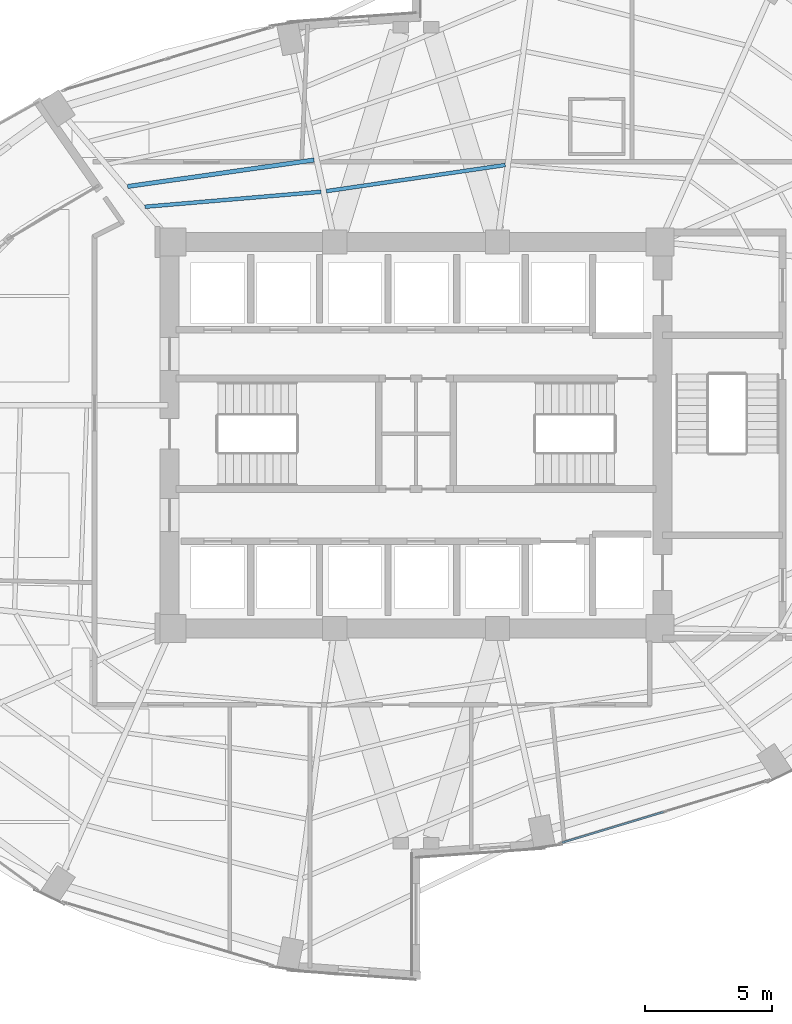
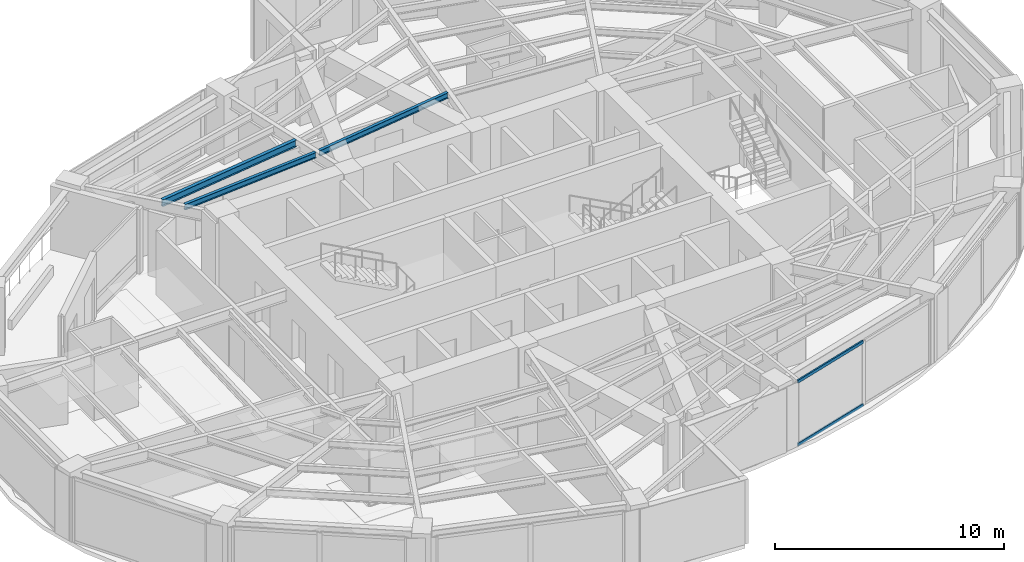
# One storey, part 10 of 24: 3 beams, 2 members, 1 element without a shape of its own.
"""IFC4 building model written with IfcOpenShell, lengths in metres."""

from ifc_helpers import new_model, si_unit, direction, frame, origin, origin_2d, place, context, subcontext, project, spatial, hollow_rectangle, i_section, extrude, material, layer, layer_set, material_profile, profile_set, type_object, element, aggregate, save


model = new_model("IFC4")

# Units and contexts
model_context = context("Model", 3, precision=1e-05, world=origin(), true_north=direction((0.0, 1.0)))
body_context = subcontext(model_context, "Body", "Model", "MODEL_VIEW")
ifc_project = project(units=[si_unit("LENGTHUNIT", "METRE"), si_unit("AREAUNIT", "SQUARE_METRE"), si_unit("VOLUMEUNIT", "CUBIC_METRE"), si_unit("PLANEANGLEUNIT", "RADIAN"), si_unit("MASSUNIT", "GRAM", prefix="KILO")], contexts=[model_context])

# Site, building, storey
site_placement = place(None, origin())
site = spatial("IfcSite", under=ifc_project, at=site_placement, CompositionType="ELEMENT")
building_placement = place(site_placement, origin())
building = spatial("IfcBuilding", under=site, at=building_placement, Name="Lazwardi Medical Tower", CompositionType="ELEMENT")
storey_placement = place(building_placement, frame((0.0, 0.0, 110.927978515625)))
storey = spatial("IfcBuildingStorey", under=building, at=storey_placement, Name="L28", CompositionType="ELEMENT", Elevation=110.927978515625)

# Beams
ifc_material_1 = material(Name="Steel S355", Category="steel")
ifc_material_profile_1 = material_profile(ifc_material_1, i_section(OverallWidth=0.169921875, OverallDepth=0.360107421875, WebThickness=0.008056640625, FlangeThickness=0.0126953125, at=origin_2d()), Name="IPE 360")
ifc_profile_set_1 = profile_set([ifc_material_profile_1], Name="Steel S355")
beam_type_1 = type_object("IfcBeamType", Name="BM-SJ-02", PredefinedType="JOIST", material=ifc_profile_set_1)
beam_1_placement = place(storey_placement, frame((31.988525390625, 38.8271484375, 3.248046875), z_axis=(-0.990067108571, -0.140595592128, 0.0), x_axis=(0.140595592128, -0.990067108571, 0.0)))
element("IfcBeam", 1, at=beam_1_placement, inside=storey, type_object=beam_type_1, Name="Secondary joist SJ-02 R3 B09 L28", PredefinedType="JOIST", context=body_context, shape_type="SweptSolid", body=[
    extrude(i_section(OverallWidth=0.169921875, OverallDepth=0.360107421875, WebThickness=0.008056640625, FlangeThickness=0.0126953125, at=origin_2d()), origin(), (0.0, 0.0, 1.0), 7.409423828125),
])
ifc_material_profile_2 = material_profile(ifc_material_1, i_section(OverallWidth=0.14990234375, OverallDepth=0.300048828125, WebThickness=0.007080078125, FlangeThickness=0.0107421875, at=origin_2d()), Name="IPE 300")
ifc_profile_set_2 = profile_set([ifc_material_profile_2], Name="Steel S355")
beam_type_2 = type_object("IfcBeamType", Name="BM-SJ-03", PredefinedType="JOIST", material=ifc_profile_set_2)
beam_2_placement = place(storey_placement, frame((39.511474609375, 38.62939453125, 3.278076171875), z_axis=(-0.98949221477, -0.144586157392, 0.0), x_axis=(0.144586157392, -0.98949221477, 0.0)))
element("IfcBeam", 2, at=beam_2_placement, inside=storey, type_object=beam_type_2, Name="Secondary joist SJ-03 R4 B08 L28", PredefinedType="JOIST", context=body_context, shape_type="SweptSolid", body=[
    extrude(i_section(OverallWidth=0.14990234375, OverallDepth=0.300048828125, WebThickness=0.007080078125, FlangeThickness=0.0107421875, at=origin_2d()), origin(), (0.0, 0.0, 1.0), 7.115478515625),
])
beam_3_placement = place(storey_placement, frame((32.26220703125, 37.576416015625, 3.278076171875), z_axis=(-0.996393589821, -0.08485171868, 0.0), x_axis=(0.08485171868, -0.996393589821, 0.0)))
element("IfcBeam", 3, at=beam_3_placement, inside=storey, type_object=beam_type_2, Name="Secondary joist SJ-03 R4 B09 L28", PredefinedType="JOIST", context=body_context, shape_type="SweptSolid", body=[
    extrude(i_section(OverallWidth=0.14990234375, OverallDepth=0.300048828125, WebThickness=0.007080078125, FlangeThickness=0.0107421875, at=origin_2d()), origin(), (0.0, 0.0, 1.0), 6.957275390625),
])

# Curtain wall, members
ifc_material_2 = material(Name="Anodised bronze aluminium and solar control glazing", Category="aluminium")
ifc_layer = layer(ifc_material_2, 0.195068359375)
ifc_layer_set = layer_set([ifc_layer], Name="Anodised bronze aluminium and solar control glazing")
curtain_wall_type = type_object("IfcCurtainWallType", Name="CW-SYS-03", PredefinedType="NOTDEFINED", material=ifc_layer_set)
curtain_wall_placement = place(storey_placement, origin())
curtain_wall = element("IfcCurtainWall", 4, at=curtain_wall_placement, inside=storey, type_object=curtain_wall_type, Name="L28 Unitised bronze curtain wall CW-03", PredefinedType="NOTDEFINED")
ifc_material_3 = material(Name="Anodised bronze aluminium", Category="aluminium")
ifc_material_profile_3 = material_profile(ifc_material_3, hollow_rectangle(XDim=0.074951171875, YDim=0.159912109375, WallThickness=0.00390625, at=origin_2d()), Name="ALU-TRANSOM 160x75x4")
ifc_profile_set_3 = profile_set([ifc_material_profile_3], Name="Anodised bronze aluminium")
member_type = type_object("IfcMemberType", Name="CW-TRN-01", PredefinedType="USERDEFINED", material=ifc_profile_set_3)
member_1_placement = place(storey_placement, frame((41.74609375, 11.970703125, 0.03759765625), z_axis=(0.957220865985, 0.289358279168, 0.0), x_axis=(-0.289358279168, 0.957220865985, 0.0)))
member_1 = element("IfcMember", 5, at=member_1_placement, type_object=member_type, Name="CW-03 transom 1.1", ObjectType="TRANSOM", PredefinedType="USERDEFINED", context=body_context, shape_type="SweptSolid", body=[
    extrude(hollow_rectangle(XDim=0.074951171875, YDim=0.159912109375, WallThickness=0.00390625, at=origin_2d()), origin(), (0.0, 0.0, 1.0), 4.16552734375),
])
member_2_placement = place(storey_placement, frame((41.74609375, 11.970703125, 3.390625), z_axis=(0.957220865985, 0.289358279168, 0.0), x_axis=(-0.289358279168, 0.957220865985, 0.0)))
member_2 = element("IfcMember", 6, at=member_2_placement, type_object=member_type, Name="CW-03 transom 1.2", ObjectType="TRANSOM", PredefinedType="USERDEFINED", context=body_context, shape_type="SweptSolid", body=[
    extrude(hollow_rectangle(XDim=0.074951171875, YDim=0.159912109375, WallThickness=0.00390625, at=origin_2d()), origin(), (0.0, 0.0, 1.0), 4.16552734375),
])
aggregate(curtain_wall, [member_1, member_2])

save(model, "model.ifc")
